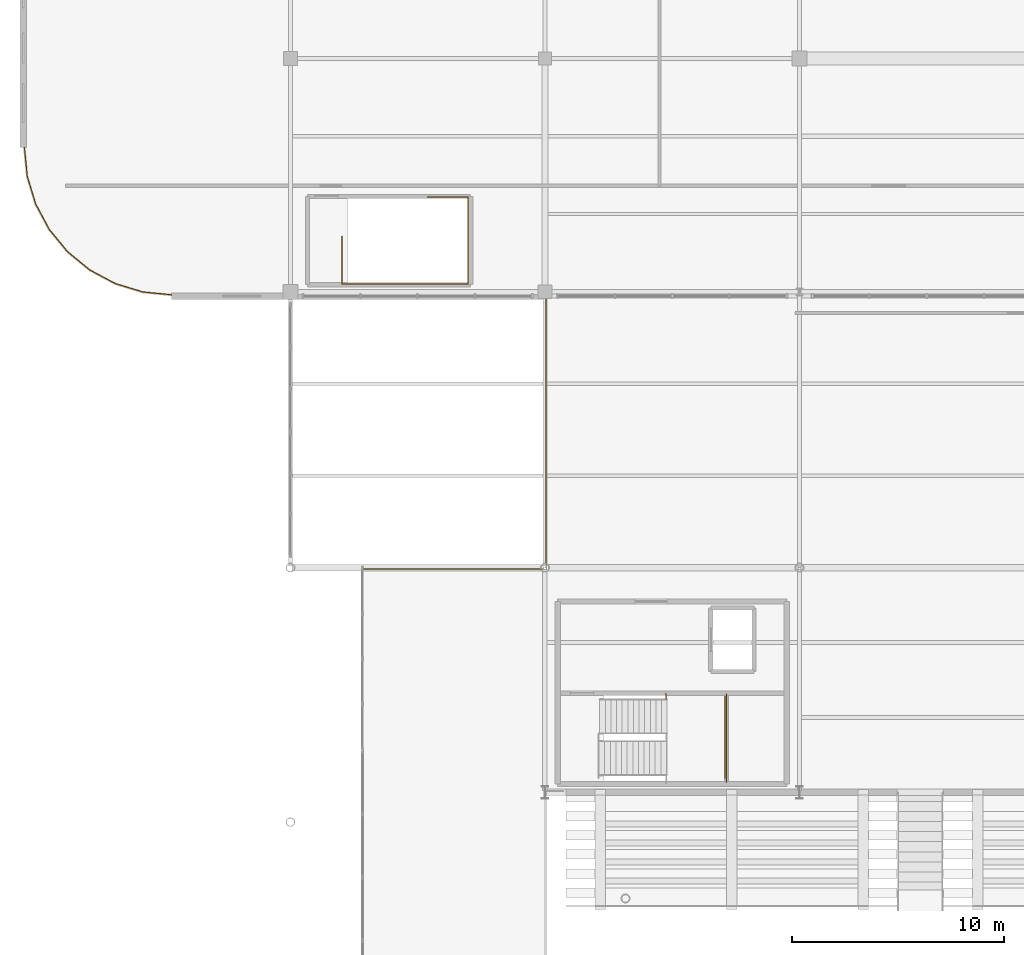
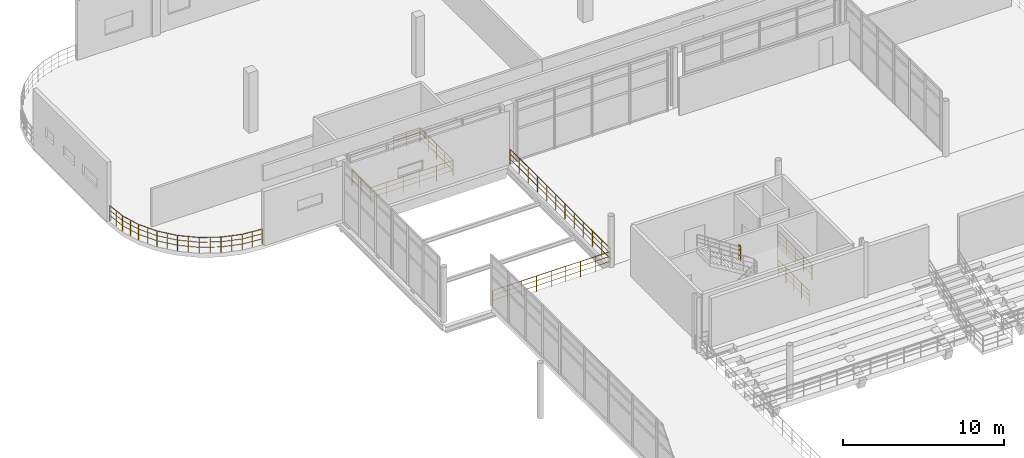
# One storey, part 81 of 89: 17 railings.
"""IFC4 building model written with IfcOpenShell, lengths in metres."""

from ifc_helpers import new_model, si_unit, direction, frame, origin, origin_2d, place, context, subcontext, project, spatial, circle, extrude, material, layer, layer_set, type_object, element, save


model = new_model("IFC4")

# Units and contexts
model_context = context("Model", 3, precision=1e-05, world=origin(), true_north=direction((0.0, 1.0)))
body_context = subcontext(model_context, "Body", "Model", "MODEL_VIEW")
ifc_project = project(units=[si_unit("LENGTHUNIT", "METRE"), si_unit("AREAUNIT", "SQUARE_METRE"), si_unit("VOLUMEUNIT", "CUBIC_METRE"), si_unit("PLANEANGLEUNIT", "RADIAN"), si_unit("MASSUNIT", "GRAM", prefix="KILO"), si_unit("THERMODYNAMICTEMPERATUREUNIT", "KELVIN"), si_unit("POWERUNIT", "WATT")], contexts=[model_context])

# Site, building, storey
site_placement = place(None, origin())
site = spatial("IfcSite", under=ifc_project, at=site_placement, CompositionType="ELEMENT")
building_placement = place(site_placement, origin())
building = spatial("IfcBuilding", under=site, at=building_placement, Name="Solmara Park Aquatics Centre", CompositionType="ELEMENT")
storey_placement = place(building_placement, frame((0.0, 0.0, 5.39990234375)))
storey = spatial("IfcBuildingStorey", under=building, at=storey_placement, Name="L01", CompositionType="ELEMENT", Elevation=5.39990234375)

# Railings
ifc_material_1 = material(Name="Toughened Glass and Stainless Steel Stand Guardrail", Category="steel")
ifc_layer_1 = layer(ifc_material_1, 0.06005859375, Name="Toughened Glass and Stainless Steel Stand Guardrail")
ifc_layer_set_1 = layer_set([ifc_layer_1], Name="Toughened Glass and Stainless Steel Stand Guardrail")
railing_type_1 = type_object("IfcRailingType", Name="ARC-RL-STD110", PredefinedType="GUARDRAIL", material=ifc_layer_set_1)
railing_1_placement = place(storey_placement, frame((16.06005859375, 72.5400390625, 0.0)))
element("IfcRailing", 1, at=railing_1_placement, inside=storey, type_object=railing_type_1, Name="L01 Slab Edge Guardrail 034", PredefinedType="GUARDRAIL", context=body_context, shape_type="SweptSolid", body=[
    extrude(circle(Radius=0.02392578125, at=origin_2d()), frame((0.0, 0.0, 1.15576171875), z_axis=(1.0, 0.0, 0.0), x_axis=(0.0, 1.0, 0.0)), (0.0, 0.0, 1.0), 8.41357421875),
    extrude(circle(Radius=0.01416015625, at=origin_2d()), frame((0.0, 0.0, 0.4130859375), z_axis=(1.0, 0.0, 0.0), x_axis=(0.0, 1.0, 0.0)), (0.0, 0.0, 1.0), 8.41357421875),
    extrude(circle(Radius=0.01416015625, at=origin_2d()), frame((0.0, 0.0, 0.80224609375), z_axis=(1.0, 0.0, 0.0), x_axis=(0.0, 1.0, 0.0)), (0.0, 0.0, 1.0), 8.41357421875),
    extrude(circle(Radius=0.02099609375, at=origin_2d()), origin(), (0.0, 0.0, 1.0), 1.1318359375),
    extrude(circle(Radius=0.02099609375, at=origin_2d()), frame((1.0517578125, 0.0, 0.0)), (0.0, 0.0, 1.0), 1.1318359375),
    extrude(circle(Radius=0.02099609375, at=origin_2d()), frame((2.103515625, 0.0, 0.0)), (0.0, 0.0, 1.0), 1.1318359375),
    extrude(circle(Radius=0.02099609375, at=origin_2d()), frame((3.155029296875, 0.0, 0.0)), (0.0, 0.0, 1.0), 1.1318359375),
    extrude(circle(Radius=0.02099609375, at=origin_2d()), frame((4.206787109375, 0.0, 0.0)), (0.0, 0.0, 1.0), 1.1318359375),
    extrude(circle(Radius=0.02099609375, at=origin_2d()), frame((5.258544921875, 0.0, 0.0)), (0.0, 0.0, 1.0), 1.1318359375),
    extrude(circle(Radius=0.02099609375, at=origin_2d()), frame((6.31005859375, 0.0, 0.0)), (0.0, 0.0, 1.0), 1.1318359375),
    extrude(circle(Radius=0.02099609375, at=origin_2d()), frame((7.36181640625, 0.0, 0.0)), (0.0, 0.0, 1.0), 1.1318359375),
    extrude(circle(Radius=0.02099609375, at=origin_2d()), frame((8.41357421875, 0.0, 0.0)), (0.0, 0.0, 1.0), 1.1318359375),
])
railing_2_placement = place(storey_placement, frame((7.0, 85.460205078125, 0.0)))
element("IfcRailing", 2, at=railing_2_placement, inside=storey, type_object=railing_type_1, Name="L01 Slab Edge Guardrail 060", PredefinedType="GUARDRAIL", context=body_context, shape_type="SweptSolid", body=[
    extrude(circle(Radius=0.02392578125, at=origin_2d()), frame((0.0, 0.0, 1.15576171875), z_axis=(-0.995187086865, 0.097993173928, 0.0), x_axis=(-0.097993173928, -0.995187086865, 0.0)), (0.0, 0.0, 1.0), 1.3603515625),
    extrude(circle(Radius=0.01416015625, at=origin_2d()), frame((0.0, 0.0, 0.4130859375), z_axis=(-0.995187086865, 0.097993173928, 0.0), x_axis=(-0.097993173928, -0.995187086865, 0.0)), (0.0, 0.0, 1.0), 1.3603515625),
    extrude(circle(Radius=0.01416015625, at=origin_2d()), frame((0.0, 0.0, 0.80224609375), z_axis=(-0.995187086865, 0.097993173928, 0.0), x_axis=(-0.097993173928, -0.995187086865, 0.0)), (0.0, 0.0, 1.0), 1.3603515625),
    extrude(circle(Radius=0.02099609375, at=origin_2d()), origin(), (0.0, 0.0, 1.0), 1.1318359375),
    extrude(circle(Radius=0.02099609375, at=origin_2d()), frame((-0.6767578125, 0.066650390625, 0.0)), (0.0, 0.0, 1.0), 1.1318359375),
    extrude(circle(Radius=0.02099609375, at=origin_2d()), frame((-1.353759765625, 0.13330078125, 0.0)), (0.0, 0.0, 1.0), 1.1318359375),
])
railing_3_placement = place(storey_placement, frame((5.646240234375, 85.593505859375, 0.0)))
element("IfcRailing", 3, at=railing_3_placement, inside=storey, type_object=railing_type_1, Name="L01 Slab Edge Guardrail 061", PredefinedType="GUARDRAIL", context=body_context, shape_type="SweptSolid", body=[
    extrude(circle(Radius=0.02392578125, at=origin_2d()), frame((0.0, 0.0, 1.15576171875), z_axis=(-0.956927767247, 0.29032610677, 0.0), x_axis=(-0.29032610677, -0.956927767247, 0.0)), (0.0, 0.0, 1.0), 1.360595703125),
    extrude(circle(Radius=0.01416015625, at=origin_2d()), frame((0.0, 0.0, 0.4130859375), z_axis=(-0.956927767247, 0.29032610677, 0.0), x_axis=(-0.29032610677, -0.956927767247, 0.0)), (0.0, 0.0, 1.0), 1.360595703125),
    extrude(circle(Radius=0.01416015625, at=origin_2d()), frame((0.0, 0.0, 0.80224609375), z_axis=(-0.956927767247, 0.29032610677, 0.0), x_axis=(-0.29032610677, -0.956927767247, 0.0)), (0.0, 0.0, 1.0), 1.360595703125),
    extrude(circle(Radius=0.02099609375, at=origin_2d()), origin(), (0.0, 0.0, 1.0), 1.1318359375),
    extrude(circle(Radius=0.02099609375, at=origin_2d()), frame((-0.65087890625, 0.197509765625, 0.0)), (0.0, 0.0, 1.0), 1.1318359375),
    extrude(circle(Radius=0.02099609375, at=origin_2d()), frame((-1.302001953125, 0.39501953125, 0.0)), (0.0, 0.0, 1.0), 1.1318359375),
])
railing_4_placement = place(storey_placement, frame((4.34423828125, 85.988525390625, 0.0)))
element("IfcRailing", 4, at=railing_4_placement, inside=storey, type_object=railing_type_1, Name="L01 Slab Edge Guardrail 062", PredefinedType="GUARDRAIL", context=body_context, shape_type="SweptSolid", body=[
    extrude(circle(Radius=0.02392578125, at=origin_2d()), frame((0.0, 0.0, 1.15576171875), z_axis=(-0.881890502495, 0.47145428369, 0.0), x_axis=(-0.47145428369, -0.881890502495, 0.0)), (0.0, 0.0, 1.0), 1.3603515625),
    extrude(circle(Radius=0.01416015625, at=origin_2d()), frame((0.0, 0.0, 0.4130859375), z_axis=(-0.881890502495, 0.47145428369, 0.0), x_axis=(-0.47145428369, -0.881890502495, 0.0)), (0.0, 0.0, 1.0), 1.3603515625),
    extrude(circle(Radius=0.01416015625, at=origin_2d()), frame((0.0, 0.0, 0.80224609375), z_axis=(-0.881890502495, 0.47145428369, 0.0), x_axis=(-0.47145428369, -0.881890502495, 0.0)), (0.0, 0.0, 1.0), 1.3603515625),
    extrude(circle(Radius=0.02099609375, at=origin_2d()), origin(), (0.0, 0.0, 1.0), 1.1318359375),
    extrude(circle(Radius=0.02099609375, at=origin_2d()), frame((-0.599853515625, 0.32080078125, 0.0)), (0.0, 0.0, 1.0), 1.1318359375),
    extrude(circle(Radius=0.02099609375, at=origin_2d()), frame((-1.19970703125, 0.641357421875, 0.0)), (0.0, 0.0, 1.0), 1.1318359375),
])
railing_5_placement = place(storey_placement, frame((3.14453125, 86.6298828125, 0.0)))
element("IfcRailing", 5, at=railing_5_placement, inside=storey, type_object=railing_type_1, Name="L01 Slab Edge Guardrail 063", PredefinedType="GUARDRAIL", context=body_context, shape_type="SweptSolid", body=[
    extrude(circle(Radius=0.02392578125, at=origin_2d()), frame((0.0, 0.0, 1.15576171875), z_axis=(-0.772980841347, 0.634429364792, 0.0), x_axis=(-0.634429364792, -0.772980841347, 0.0)), (0.0, 0.0, 1.0), 1.3603515625),
    extrude(circle(Radius=0.01416015625, at=origin_2d()), frame((0.0, 0.0, 0.4130859375), z_axis=(-0.772980841347, 0.634429364792, 0.0), x_axis=(-0.634429364792, -0.772980841347, 0.0)), (0.0, 0.0, 1.0), 1.3603515625),
    extrude(circle(Radius=0.01416015625, at=origin_2d()), frame((0.0, 0.0, 0.80224609375), z_axis=(-0.772980841347, 0.634429364792, 0.0), x_axis=(-0.634429364792, -0.772980841347, 0.0)), (0.0, 0.0, 1.0), 1.3603515625),
    extrude(circle(Radius=0.02099609375, at=origin_2d()), origin(), (0.0, 0.0, 1.0), 1.1318359375),
    extrude(circle(Radius=0.02099609375, at=origin_2d()), frame((-0.52587890625, 0.431640625, 0.0)), (0.0, 0.0, 1.0), 1.1318359375),
    extrude(circle(Radius=0.02099609375, at=origin_2d()), frame((-1.051513671875, 0.863037109375, 0.0)), (0.0, 0.0, 1.0), 1.1318359375),
])
railing_6_placement = place(storey_placement, frame((2.093017578125, 87.492919921875, 0.0)))
element("IfcRailing", 6, at=railing_6_placement, inside=storey, type_object=railing_type_1, Name="L01 Slab Edge Guardrail 064", PredefinedType="GUARDRAIL", context=body_context, shape_type="SweptSolid", body=[
    extrude(circle(Radius=0.02392578125, at=origin_2d()), frame((0.0, 0.0, 1.15576171875), z_axis=(-0.634536580186, 0.772892831126, 0.0), x_axis=(-0.772892831126, -0.634536580186, 0.0)), (0.0, 0.0, 1.0), 1.360595703125),
    extrude(circle(Radius=0.01416015625, at=origin_2d()), frame((0.0, 0.0, 0.4130859375), z_axis=(-0.634536580186, 0.772892831126, 0.0), x_axis=(-0.772892831126, -0.634536580186, 0.0)), (0.0, 0.0, 1.0), 1.360595703125),
    extrude(circle(Radius=0.01416015625, at=origin_2d()), frame((0.0, 0.0, 0.80224609375), z_axis=(-0.634536580186, 0.772892831126, 0.0), x_axis=(-0.772892831126, -0.634536580186, 0.0)), (0.0, 0.0, 1.0), 1.360595703125),
    extrude(circle(Radius=0.02099609375, at=origin_2d()), origin(), (0.0, 0.0, 1.0), 1.1318359375),
    extrude(circle(Radius=0.02099609375, at=origin_2d()), frame((-0.431640625, 0.52587890625, 0.0)), (0.0, 0.0, 1.0), 1.1318359375),
    extrude(circle(Radius=0.02099609375, at=origin_2d()), frame((-0.86328125, 1.051513671875, 0.0)), (0.0, 0.0, 1.0), 1.1318359375),
])
railing_7_placement = place(storey_placement, frame((1.229736328125, 88.54443359375, 0.0)))
element("IfcRailing", 7, at=railing_7_placement, inside=storey, type_object=railing_type_1, Name="L01 Slab Edge Guardrail 065", PredefinedType="GUARDRAIL", context=body_context, shape_type="SweptSolid", body=[
    extrude(circle(Radius=0.02392578125, at=origin_2d()), frame((0.0, 0.0, 1.15576171875), z_axis=(-0.471379677501, 0.881930382535, 0.0), x_axis=(-0.881930382535, -0.471379677501, 0.0)), (0.0, 0.0, 1.0), 1.360595703125),
    extrude(circle(Radius=0.01416015625, at=origin_2d()), frame((0.0, 0.0, 0.4130859375), z_axis=(-0.471379677501, 0.881930382535, 0.0), x_axis=(-0.881930382535, -0.471379677501, 0.0)), (0.0, 0.0, 1.0), 1.360595703125),
    extrude(circle(Radius=0.01416015625, at=origin_2d()), frame((0.0, 0.0, 0.80224609375), z_axis=(-0.471379677501, 0.881930382535, 0.0), x_axis=(-0.881930382535, -0.471379677501, 0.0)), (0.0, 0.0, 1.0), 1.360595703125),
    extrude(circle(Radius=0.02099609375, at=origin_2d()), origin(), (0.0, 0.0, 1.0), 1.1318359375),
    extrude(circle(Radius=0.02099609375, at=origin_2d()), frame((-0.32080078125, 0.60009765625, 0.0)), (0.0, 0.0, 1.0), 1.1318359375),
    extrude(circle(Radius=0.02099609375, at=origin_2d()), frame((-0.641357421875, 1.199951171875, 0.0)), (0.0, 0.0, 1.0), 1.1318359375),
])
railing_8_placement = place(storey_placement, frame((0.58837890625, 89.744384765625, 0.0)))
element("IfcRailing", 8, at=railing_8_placement, inside=storey, type_object=railing_type_1, Name="L01 Slab Edge Guardrail 066", PredefinedType="GUARDRAIL", context=body_context, shape_type="SweptSolid", body=[
    extrude(circle(Radius=0.02392578125, at=origin_2d()), frame((0.0, 0.0, 1.15576171875), z_axis=(-0.290211619235, 0.956962494595, 0.0), x_axis=(-0.956962494595, -0.290211619235, 0.0)), (0.0, 0.0, 1.0), 1.3603515625),
    extrude(circle(Radius=0.01416015625, at=origin_2d()), frame((0.0, 0.0, 0.4130859375), z_axis=(-0.290211619235, 0.956962494595, 0.0), x_axis=(-0.956962494595, -0.290211619235, 0.0)), (0.0, 0.0, 1.0), 1.3603515625),
    extrude(circle(Radius=0.01416015625, at=origin_2d()), frame((0.0, 0.0, 0.80224609375), z_axis=(-0.290211619235, 0.956962494595, 0.0), x_axis=(-0.956962494595, -0.290211619235, 0.0)), (0.0, 0.0, 1.0), 1.3603515625),
    extrude(circle(Radius=0.02099609375, at=origin_2d()), origin(), (0.0, 0.0, 1.0), 1.1318359375),
    extrude(circle(Radius=0.02099609375, at=origin_2d()), frame((-0.197265625, 0.65087890625, 0.0)), (0.0, 0.0, 1.0), 1.1318359375),
    extrude(circle(Radius=0.02099609375, at=origin_2d()), frame((-0.394775390625, 1.3017578125, 0.0)), (0.0, 0.0, 1.0), 1.1318359375),
])
railing_9_placement = place(storey_placement, frame((0.193603515625, 91.046142578125, 0.0)))
element("IfcRailing", 9, at=railing_9_placement, inside=storey, type_object=railing_type_1, Name="L01 Slab Edge Guardrail 067", PredefinedType="GUARDRAIL", context=body_context, shape_type="SweptSolid", body=[
    extrude(circle(Radius=0.02392578125, at=origin_2d()), frame((0.0, 0.0, 1.15576171875), z_axis=(-0.097993173928, 0.995187086865, 0.0), x_axis=(-0.995187086865, -0.097993173928, 0.0)), (0.0, 0.0, 1.0), 1.3603515625),
    extrude(circle(Radius=0.01416015625, at=origin_2d()), frame((0.0, 0.0, 0.4130859375), z_axis=(-0.097993173928, 0.995187086865, 0.0), x_axis=(-0.995187086865, -0.097993173928, 0.0)), (0.0, 0.0, 1.0), 1.3603515625),
    extrude(circle(Radius=0.01416015625, at=origin_2d()), frame((0.0, 0.0, 0.80224609375), z_axis=(-0.097993173928, 0.995187086865, 0.0), x_axis=(-0.995187086865, -0.097993173928, 0.0)), (0.0, 0.0, 1.0), 1.3603515625),
    extrude(circle(Radius=0.02099609375, at=origin_2d()), origin(), (0.0, 0.0, 1.0), 1.1318359375),
    extrude(circle(Radius=0.02099609375, at=origin_2d()), frame((-0.066650390625, 0.6767578125, 0.0)), (0.0, 0.0, 1.0), 1.1318359375),
    extrude(circle(Radius=0.02099609375, at=origin_2d()), frame((-0.13330078125, 1.353759765625, 0.0)), (0.0, 0.0, 1.0), 1.1318359375),
])
railing_10_placement = place(storey_placement, frame((24.659912109375, 72.739990234375, 0.0)))
element("IfcRailing", 10, at=railing_10_placement, inside=storey, type_object=railing_type_1, Name="L01 Slab Edge Guardrail 068", PredefinedType="GUARDRAIL", context=body_context, shape_type="SweptSolid", body=[
    extrude(circle(Radius=0.02392578125, at=origin_2d()), frame((0.0, 0.0, 1.15576171875), z_axis=(0.0, 1.0, 0.0), x_axis=(-1.0, 0.0, 0.0)), (0.0, 0.0, 1.0), 12.52001953125),
    extrude(circle(Radius=0.01416015625, at=origin_2d()), frame((0.0, 0.0, 0.4130859375), z_axis=(0.0, 1.0, 0.0), x_axis=(-1.0, 0.0, 0.0)), (0.0, 0.0, 1.0), 12.52001953125),
    extrude(circle(Radius=0.01416015625, at=origin_2d()), frame((0.0, 0.0, 0.80224609375), z_axis=(0.0, 1.0, 0.0), x_axis=(-1.0, 0.0, 0.0)), (0.0, 0.0, 1.0), 12.52001953125),
    extrude(circle(Radius=0.02099609375, at=origin_2d()), origin(), (0.0, 0.0, 1.0), 1.1318359375),
    extrude(circle(Radius=0.02099609375, at=origin_2d()), frame((0.0, 1.13818359375, 0.0)), (0.0, 0.0, 1.0), 1.1318359375),
    extrude(circle(Radius=0.02099609375, at=origin_2d()), frame((0.0, 2.2763671875, 0.0)), (0.0, 0.0, 1.0), 1.1318359375),
    extrude(circle(Radius=0.02099609375, at=origin_2d()), frame((0.0, 3.41455078125, 0.0)), (0.0, 0.0, 1.0), 1.1318359375),
    extrude(circle(Radius=0.02099609375, at=origin_2d()), frame((0.0, 4.552734375, 0.0)), (0.0, 0.0, 1.0), 1.1318359375),
    extrude(circle(Radius=0.02099609375, at=origin_2d()), frame((0.0, 5.69091796875, 0.0)), (0.0, 0.0, 1.0), 1.1318359375),
    extrude(circle(Radius=0.02099609375, at=origin_2d()), frame((0.0, 6.8291015625, 0.0)), (0.0, 0.0, 1.0), 1.1318359375),
    extrude(circle(Radius=0.02099609375, at=origin_2d()), frame((0.0, 7.96728515625, 0.0)), (0.0, 0.0, 1.0), 1.1318359375),
    extrude(circle(Radius=0.02099609375, at=origin_2d()), frame((0.0, 9.10546875, 0.0)), (0.0, 0.0, 1.0), 1.1318359375),
    extrude(circle(Radius=0.02099609375, at=origin_2d()), frame((0.0, 10.24365234375, 0.0)), (0.0, 0.0, 1.0), 1.1318359375),
    extrude(circle(Radius=0.02099609375, at=origin_2d()), frame((0.0, 11.3818359375, 0.0)), (0.0, 0.0, 1.0), 1.1318359375),
    extrude(circle(Radius=0.02099609375, at=origin_2d()), frame((0.0, 12.52001953125, 0.0)), (0.0, 0.0, 1.0), 1.1318359375),
])
ifc_material_2 = material(Name="Brushed Stainless Steel Guardrail", Category="steel")
ifc_layer_2 = layer(ifc_material_2, 0.050048828125, Name="Brushed Stainless Steel Guardrail")
ifc_layer_set_2 = layer_set([ifc_layer_2], Name="Brushed Stainless Steel Guardrail")
railing_type_2 = type_object("IfcRailingType", Name="ARC-RL-STR110", PredefinedType="GUARDRAIL", material=ifc_layer_set_2)
railing_11_placement = place(storey_placement, frame((33.080078125, 62.669921875, 0.0)))
element("IfcRailing", 11, at=railing_11_placement, inside=storey, type_object=railing_type_2, Name="ST-04 Protected Exit Stair (L00 to L01) Far Well Edge Guardrail", PredefinedType="GUARDRAIL", context=body_context, shape_type="SweptSolid", body=[
    extrude(circle(Radius=0.02392578125, at=origin_2d()), frame((0.0, 0.0, 1.15576171875), z_axis=(0.0, 1.0, 0.0), x_axis=(-1.0, 0.0, 0.0)), (0.0, 0.0, 1.0), 3.860107421875),
    extrude(circle(Radius=0.01416015625, at=origin_2d()), frame((0.0, 0.0, 0.4130859375), z_axis=(0.0, 1.0, 0.0), x_axis=(-1.0, 0.0, 0.0)), (0.0, 0.0, 1.0), 3.860107421875),
    extrude(circle(Radius=0.01416015625, at=origin_2d()), frame((0.0, 0.0, 0.80224609375), z_axis=(0.0, 1.0, 0.0), x_axis=(-1.0, 0.0, 0.0)), (0.0, 0.0, 1.0), 3.860107421875),
    extrude(circle(Radius=0.02099609375, at=origin_2d()), origin(), (0.0, 0.0, 1.0), 1.1318359375),
    extrude(circle(Radius=0.02099609375, at=origin_2d()), frame((0.0, 0.965087890625, 0.0)), (0.0, 0.0, 1.0), 1.1318359375),
    extrude(circle(Radius=0.02099609375, at=origin_2d()), frame((0.0, 1.93017578125, 0.0)), (0.0, 0.0, 1.0), 1.1318359375),
    extrude(circle(Radius=0.02099609375, at=origin_2d()), frame((0.0, 2.89501953125, 0.0)), (0.0, 0.0, 1.0), 1.1318359375),
    extrude(circle(Radius=0.02099609375, at=origin_2d()), frame((0.0, 3.860107421875, 0.0)), (0.0, 0.0, 1.0), 1.1318359375),
])
railing_12_placement = place(storey_placement, frame((30.300048828125, 66.39990234375, 2.10009765625)))
element("IfcRailing", 12, at=railing_12_placement, inside=storey, type_object=railing_type_2, Name="ST-04 Protected Exit Stair (L01 to L02) Half-Landing North Slot Guardrail", PredefinedType="GUARDRAIL", context=body_context, shape_type="SweptSolid", body=[
    extrude(circle(Radius=0.02392578125, at=origin_2d()), frame((0.0, 0.0, 1.15576171875), z_axis=(0.0, 1.0, 0.0), x_axis=(-1.0, 0.0, 0.0)), (0.0, 0.0, 1.0), 0.260009765625),
    extrude(circle(Radius=0.01416015625, at=origin_2d()), frame((0.0, 0.0, 0.4130859375), z_axis=(0.0, 1.0, 0.0), x_axis=(-1.0, 0.0, 0.0)), (0.0, 0.0, 1.0), 0.260009765625),
    extrude(circle(Radius=0.01416015625, at=origin_2d()), frame((0.0, 0.0, 0.80224609375), z_axis=(0.0, 1.0, 0.0), x_axis=(-1.0, 0.0, 0.0)), (0.0, 0.0, 1.0), 0.260009765625),
    extrude(circle(Radius=0.02099609375, at=origin_2d()), origin(), (0.0, 0.0, 1.0), 1.1318359375),
    extrude(circle(Radius=0.02099609375, at=origin_2d()), frame((0.0, 0.260009765625, 0.0)), (0.0, 0.0, 1.0), 1.1318359375),
])
railing_13_placement = place(storey_placement, frame((33.14990234375, 62.4599609375, 2.10009765625)))
element("IfcRailing", 13, at=railing_13_placement, inside=storey, type_object=railing_type_2, Name="ST-04 Protected Exit Stair (L01 to L02) Half-Landing Outer Guardrail", PredefinedType="GUARDRAIL", context=body_context, shape_type="SweptSolid", body=[
    extrude(circle(Radius=0.02392578125, at=origin_2d()), frame((0.0, 0.0, 1.15576171875), z_axis=(0.0, 1.0, 0.0), x_axis=(-1.0, 0.0, 0.0)), (0.0, 0.0, 1.0), 4.179931640625),
    extrude(circle(Radius=0.01416015625, at=origin_2d()), frame((0.0, 0.0, 0.4130859375), z_axis=(0.0, 1.0, 0.0), x_axis=(-1.0, 0.0, 0.0)), (0.0, 0.0, 1.0), 4.179931640625),
    extrude(circle(Radius=0.01416015625, at=origin_2d()), frame((0.0, 0.0, 0.80224609375), z_axis=(0.0, 1.0, 0.0), x_axis=(-1.0, 0.0, 0.0)), (0.0, 0.0, 1.0), 4.179931640625),
    extrude(circle(Radius=0.02099609375, at=origin_2d()), origin(), (0.0, 0.0, 1.0), 1.1318359375),
    extrude(circle(Radius=0.02099609375, at=origin_2d()), frame((0.0, 1.044921875, 0.0)), (0.0, 0.0, 1.0), 1.1318359375),
    extrude(circle(Radius=0.02099609375, at=origin_2d()), frame((0.0, 2.08984375, 0.0)), (0.0, 0.0, 1.0), 1.1318359375),
    extrude(circle(Radius=0.02099609375, at=origin_2d()), frame((0.0, 3.135009765625, 0.0)), (0.0, 0.0, 1.0), 1.1318359375),
    extrude(circle(Radius=0.02099609375, at=origin_2d()), frame((0.0, 4.179931640625, 0.0)), (0.0, 0.0, 1.0), 1.1318359375),
])
railing_14_placement = place(storey_placement, frame((15.030029296875, 85.9599609375, 0.0)))
element("IfcRailing", 14, at=railing_14_placement, inside=storey, type_object=railing_type_2, Name="West Changing Escape Stair ST-08 (L00-L01) Arrival Well Guardrail", PredefinedType="GUARDRAIL", context=body_context, shape_type="SweptSolid", body=[
    extrude(circle(Radius=0.02392578125, at=origin_2d()), frame((0.0, 0.0, 1.15576171875), z_axis=(0.0, 1.0, 0.0), x_axis=(-1.0, 0.0, 0.0)), (0.0, 0.0, 1.0), 2.260009765625),
    extrude(circle(Radius=0.01416015625, at=origin_2d()), frame((0.0, 0.0, 0.4130859375), z_axis=(0.0, 1.0, 0.0), x_axis=(-1.0, 0.0, 0.0)), (0.0, 0.0, 1.0), 2.260009765625),
    extrude(circle(Radius=0.01416015625, at=origin_2d()), frame((0.0, 0.0, 0.80224609375), z_axis=(0.0, 1.0, 0.0), x_axis=(-1.0, 0.0, 0.0)), (0.0, 0.0, 1.0), 2.260009765625),
    extrude(circle(Radius=0.02099609375, at=origin_2d()), origin(), (0.0, 0.0, 1.0), 1.1318359375),
    extrude(circle(Radius=0.02099609375, at=origin_2d()), frame((0.0, 1.1298828125, 0.0)), (0.0, 0.0, 1.0), 1.1318359375),
    extrude(circle(Radius=0.02099609375, at=origin_2d()), frame((0.0, 2.260009765625, 0.0)), (0.0, 0.0, 1.0), 1.1318359375),
])
railing_15_placement = place(storey_placement, frame((20.97998046875, 85.9599609375, 0.0)))
element("IfcRailing", 15, at=railing_15_placement, inside=storey, type_object=railing_type_2, Name="West Changing Escape Stair ST-08 (L00-L01) Far Well Edge Guardrail", PredefinedType="GUARDRAIL", context=body_context, shape_type="SweptSolid", body=[
    extrude(circle(Radius=0.02392578125, at=origin_2d()), frame((0.0, 0.0, 1.15576171875), z_axis=(0.0, 1.0, 0.0), x_axis=(-1.0, 0.0, 0.0)), (0.0, 0.0, 1.0), 4.1201171875),
    extrude(circle(Radius=0.01416015625, at=origin_2d()), frame((0.0, 0.0, 0.4130859375), z_axis=(0.0, 1.0, 0.0), x_axis=(-1.0, 0.0, 0.0)), (0.0, 0.0, 1.0), 4.1201171875),
    extrude(circle(Radius=0.01416015625, at=origin_2d()), frame((0.0, 0.0, 0.80224609375), z_axis=(0.0, 1.0, 0.0), x_axis=(-1.0, 0.0, 0.0)), (0.0, 0.0, 1.0), 4.1201171875),
    extrude(circle(Radius=0.02099609375, at=origin_2d()), origin(), (0.0, 0.0, 1.0), 1.1318359375),
    extrude(circle(Radius=0.02099609375, at=origin_2d()), frame((0.0, 1.030029296875, 0.0)), (0.0, 0.0, 1.0), 1.1318359375),
    extrude(circle(Radius=0.02099609375, at=origin_2d()), frame((0.0, 2.06005859375, 0.0)), (0.0, 0.0, 1.0), 1.1318359375),
    extrude(circle(Radius=0.02099609375, at=origin_2d()), frame((0.0, 3.090087890625, 0.0)), (0.0, 0.0, 1.0), 1.1318359375),
    extrude(circle(Radius=0.02099609375, at=origin_2d()), frame((0.0, 4.1201171875, 0.0)), (0.0, 0.0, 1.0), 1.1318359375),
])
railing_16_placement = place(storey_placement, frame((15.030029296875, 85.969970703125, 0.0)))
element("IfcRailing", 16, at=railing_16_placement, inside=storey, type_object=railing_type_2, Name="West Changing Escape Stair ST-08 (L00-L01) Top Well South Guardrail", PredefinedType="GUARDRAIL", context=body_context, shape_type="SweptSolid", body=[
    extrude(circle(Radius=0.02392578125, at=origin_2d()), frame((0.0, 0.0, 1.15576171875), z_axis=(1.0, 0.0, 0.0), x_axis=(0.0, 1.0, 0.0)), (0.0, 0.0, 1.0), 5.949951171875),
    extrude(circle(Radius=0.01416015625, at=origin_2d()), frame((0.0, 0.0, 0.4130859375), z_axis=(1.0, 0.0, 0.0), x_axis=(0.0, 1.0, 0.0)), (0.0, 0.0, 1.0), 5.949951171875),
    extrude(circle(Radius=0.01416015625, at=origin_2d()), frame((0.0, 0.0, 0.80224609375), z_axis=(1.0, 0.0, 0.0), x_axis=(0.0, 1.0, 0.0)), (0.0, 0.0, 1.0), 5.949951171875),
    extrude(circle(Radius=0.02099609375, at=origin_2d()), origin(), (0.0, 0.0, 1.0), 1.1318359375),
    extrude(circle(Radius=0.02099609375, at=origin_2d()), frame((1.18994140625, 0.0, 0.0)), (0.0, 0.0, 1.0), 1.1318359375),
    extrude(circle(Radius=0.02099609375, at=origin_2d()), frame((2.3798828125, 0.0, 0.0)), (0.0, 0.0, 1.0), 1.1318359375),
    extrude(circle(Radius=0.02099609375, at=origin_2d()), frame((3.570068359375, 0.0, 0.0)), (0.0, 0.0, 1.0), 1.1318359375),
    extrude(circle(Radius=0.02099609375, at=origin_2d()), frame((4.760009765625, 0.0, 0.0)), (0.0, 0.0, 1.0), 1.1318359375),
    extrude(circle(Radius=0.02099609375, at=origin_2d()), frame((5.949951171875, 0.0, 0.0)), (0.0, 0.0, 1.0), 1.1318359375),
])
railing_17_placement = place(storey_placement, frame((19.06494140625, 90.070068359375, 0.0)))
element("IfcRailing", 17, at=railing_17_placement, inside=storey, type_object=railing_type_2, Name="West Changing Escape Stair ST-08 (L00-L01) Top Well North Guardrail", PredefinedType="GUARDRAIL", context=body_context, shape_type="SweptSolid", body=[
    extrude(circle(Radius=0.02392578125, at=origin_2d()), frame((0.0, 0.0, 1.15576171875), z_axis=(1.0, 0.0, 0.0), x_axis=(0.0, 1.0, 0.0)), (0.0, 0.0, 1.0), 1.9150390625),
    extrude(circle(Radius=0.01416015625, at=origin_2d()), frame((0.0, 0.0, 0.4130859375), z_axis=(1.0, 0.0, 0.0), x_axis=(0.0, 1.0, 0.0)), (0.0, 0.0, 1.0), 1.9150390625),
    extrude(circle(Radius=0.01416015625, at=origin_2d()), frame((0.0, 0.0, 0.80224609375), z_axis=(1.0, 0.0, 0.0), x_axis=(0.0, 1.0, 0.0)), (0.0, 0.0, 1.0), 1.9150390625),
    extrude(circle(Radius=0.02099609375, at=origin_2d()), origin(), (0.0, 0.0, 1.0), 1.1318359375),
    extrude(circle(Radius=0.02099609375, at=origin_2d()), frame((0.95751953125, 0.0, 0.0)), (0.0, 0.0, 1.0), 1.1318359375),
    extrude(circle(Radius=0.02099609375, at=origin_2d()), frame((1.9150390625, 0.0, 0.0)), (0.0, 0.0, 1.0), 1.1318359375),
])

save(model, "model.ifc")
